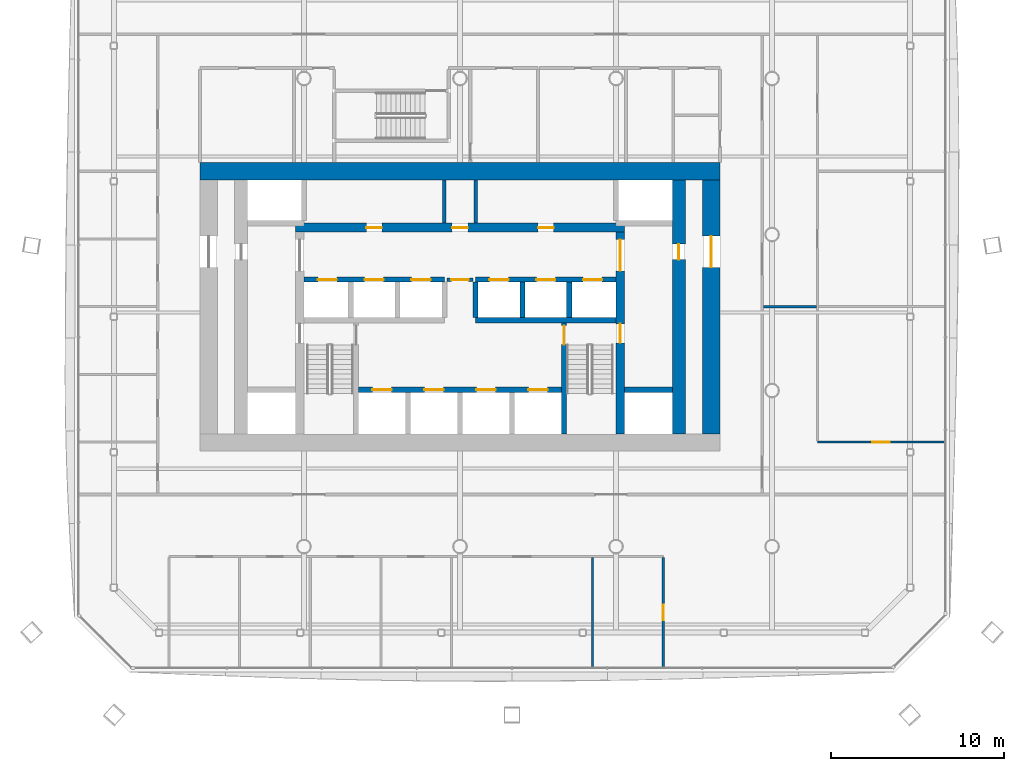
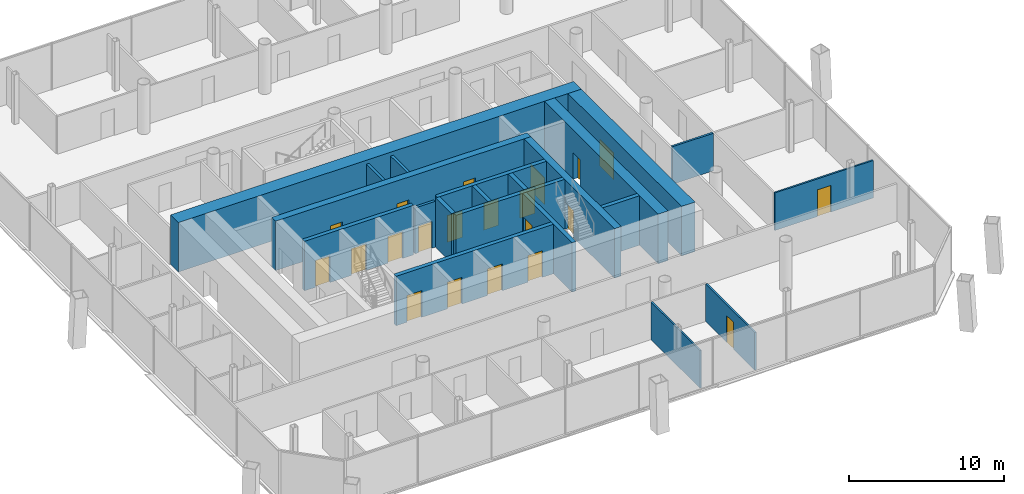
# One storey, part 12 of 19: 21 doors, 21 walls, 21 openings.
"""IFC4 building model written with IfcOpenShell, lengths in metres."""

from ifc_helpers import new_model, si_unit, direction, frame, frame_2d, origin, place, context, subcontext, project, spatial, rectangle, extrude, material, layer, layer_set, type_object, element, fill, save


model = new_model("IFC4")

# Units and contexts
model_context = context("Model", 3, precision=1e-05, world=origin(), true_north=direction((0.0, 1.0)))
body_context = subcontext(model_context, "Body", "Model", "MODEL_VIEW")
ifc_project = project(units=[si_unit("LENGTHUNIT", "METRE"), si_unit("AREAUNIT", "SQUARE_METRE"), si_unit("VOLUMEUNIT", "CUBIC_METRE"), si_unit("PLANEANGLEUNIT", "RADIAN"), si_unit("MASSUNIT", "GRAM", prefix="KILO")], contexts=[model_context])

# Site, building, storey
site_placement = place(None, origin())
site = spatial("IfcSite", under=ifc_project, at=site_placement, CompositionType="ELEMENT")
building_placement = place(site_placement, origin())
building = spatial("IfcBuilding", under=site, at=building_placement, Name="Tskaro Facet Tower", CompositionType="ELEMENT")
storey_placement = place(building_placement, frame((0.0, 0.0, 81.60009765625)))
storey = spatial("IfcBuildingStorey", under=building, at=storey_placement, Name="L19", CompositionType="ELEMENT", Elevation=81.60009765625)

# Wall, openings, doors
ifc_material_1 = material(Name="Concrete C60/75", Category="concrete")
ifc_layer_1 = layer(ifc_material_1, 0.300048828125, Name="Concrete C60/75")
ifc_layer_set_1 = layer_set([ifc_layer_1], Name="Concrete C60/75")
wall_type_1 = type_object("IfcWallType", Name="CORE-SHAFT", PredefinedType="SHEAR", material=ifc_layer_set_1)
wall_1_placement = place(storey_placement, frame((-5.85009765625, -8.949951171875, 0.0), z_axis=(0.0, 0.0, 1.0), x_axis=(1.0, 0.0, 0.0)))
wall_1 = element("IfcWall", 1, at=wall_1_placement, inside=storey, type_object=wall_type_1, Name="Shaft wall W006", PredefinedType="SHEAR", context=body_context, shape_type="SweptSolid", body=[
    extrude(rectangle(XDim=11.7001953125, YDim=0.300048828125, at=frame_2d((5.85009765625, 0.0))), origin(), (0.0, 0.0, 1.0), 3.89990234375),
])
opening_1_placement = place(wall_1_placement, frame((0.800048828125, 0.0, 0.0)))
opening_1 = element("IfcOpeningElement", 2, at=opening_1_placement, cuts=wall_1, Name="Opening LD-FF1", PredefinedType="OPENING", context=body_context, shape_type="SweptSolid", body=[
    extrude(rectangle(XDim=1.10009765625, YDim=2.10009765625, at=frame_2d((0.550048828125, 1.050048828125))), frame((0.0, 0.159912109375, 0.0), z_axis=(0.0, -1.0, 0.0), x_axis=(1.0, 0.0, 0.0)), (0.0, 0.0, 1.0), 0.320068359375),
])
opening_2_placement = place(wall_1_placement, frame((3.800048828125, 0.0, 0.0)))
opening_2 = element("IfcOpeningElement", 3, at=opening_2_placement, cuts=wall_1, Name="Opening LD-FF2", PredefinedType="OPENING", context=body_context, shape_type="SweptSolid", body=[
    extrude(rectangle(XDim=1.10009765625, YDim=2.10009765625, at=frame_2d((0.550048828125, 1.050048828125))), frame((0.0, 0.159912109375, 0.0), z_axis=(0.0, -1.0, 0.0), x_axis=(1.0, 0.0, 0.0)), (0.0, 0.0, 1.0), 0.320068359375),
])
opening_3_placement = place(wall_1_placement, frame((6.800048828125, 0.0, 0.0)))
opening_3 = element("IfcOpeningElement", 4, at=opening_3_placement, cuts=wall_1, Name="Opening LD-SV1", PredefinedType="OPENING", context=body_context, shape_type="SweptSolid", body=[
    extrude(rectangle(XDim=1.10009765625, YDim=2.10009765625, at=frame_2d((0.550048828125, 1.050048828125))), frame((0.0, 0.159912109375, 0.0), z_axis=(0.0, -1.0, 0.0), x_axis=(1.0, 0.0, 0.0)), (0.0, 0.0, 1.0), 0.320068359375),
])
opening_4_placement = place(wall_1_placement, frame((9.800048828125, 0.0, 0.0)))
opening_4 = element("IfcOpeningElement", 5, at=opening_4_placement, cuts=wall_1, Name="Opening LD-SV2", PredefinedType="OPENING", context=body_context, shape_type="SweptSolid", body=[
    extrude(rectangle(XDim=1.10009765625, YDim=2.10009765625, at=frame_2d((0.550048828125, 1.050048828125))), frame((0.0, 0.159912109375, 0.0), z_axis=(0.0, -1.0, 0.0), x_axis=(1.0, 0.0, 0.0)), (0.0, 0.0, 1.0), 0.320068359375),
])
ifc_material_2 = material(Name="Stainless steel", Category="steel")
door_type_1 = type_object("IfcDoorType", Name="D-LANDING", OperationType="NOTDEFINED", PredefinedType="DOOR", material=ifc_material_2)
door_1_placement = place(opening_1_placement, origin())
door_1 = element("IfcDoor", 6, at=door_1_placement, inside=storey, type_object=door_type_1, Name="Landing door FF1", OperationType="DOUBLE_DOOR_SLIDING", OverallHeight=2.10009765625, OverallWidth=1.10009765625, PredefinedType="DOOR", context=body_context, shape_type="SweptSolid", body=[
    extrude(rectangle(XDim=1.10009765625, YDim=2.10009765625, at=frame_2d((0.550048828125, 1.050048828125))), frame((0.0, 0.02490234375, 0.0), z_axis=(0.0, -1.0, 0.0), x_axis=(1.0, 0.0, 0.0)), (0.0, 0.0, 1.0), 0.050048828125),
])
fill(opening_1, door_1)
door_2_placement = place(opening_2_placement, origin())
door_2 = element("IfcDoor", 7, at=door_2_placement, inside=storey, type_object=door_type_1, Name="Landing door FF2", OperationType="DOUBLE_DOOR_SLIDING", OverallHeight=2.10009765625, OverallWidth=1.10009765625, PredefinedType="DOOR", context=body_context, shape_type="SweptSolid", body=[
    extrude(rectangle(XDim=1.10009765625, YDim=2.10009765625, at=frame_2d((0.550048828125, 1.050048828125))), frame((0.0, 0.02490234375, 0.0), z_axis=(0.0, -1.0, 0.0), x_axis=(1.0, 0.0, 0.0)), (0.0, 0.0, 1.0), 0.050048828125),
])
fill(opening_2, door_2)
door_3_placement = place(opening_3_placement, origin())
door_3 = element("IfcDoor", 8, at=door_3_placement, inside=storey, type_object=door_type_1, Name="Landing door SV1", OperationType="DOUBLE_DOOR_SLIDING", OverallHeight=2.10009765625, OverallWidth=1.10009765625, PredefinedType="DOOR", context=body_context, shape_type="SweptSolid", body=[
    extrude(rectangle(XDim=1.10009765625, YDim=2.10009765625, at=frame_2d((0.550048828125, 1.050048828125))), frame((0.0, 0.02490234375, 0.0), z_axis=(0.0, -1.0, 0.0), x_axis=(1.0, 0.0, 0.0)), (0.0, 0.0, 1.0), 0.050048828125),
])
fill(opening_3, door_3)
door_4_placement = place(opening_4_placement, origin())
door_4 = element("IfcDoor", 9, at=door_4_placement, inside=storey, type_object=door_type_1, Name="Landing door SV2", OperationType="DOUBLE_DOOR_SLIDING", OverallHeight=2.10009765625, OverallWidth=1.10009765625, PredefinedType="DOOR", context=body_context, shape_type="SweptSolid", body=[
    extrude(rectangle(XDim=1.10009765625, YDim=2.10009765625, at=frame_2d((0.550048828125, 1.050048828125))), frame((0.0, 0.02490234375, 0.0), z_axis=(0.0, -1.0, 0.0), x_axis=(1.0, 0.0, 0.0)), (0.0, 0.0, 1.0), 0.050048828125),
])
fill(opening_4, door_4)

# Walls
wall_2_placement = place(storey_placement, frame((9.5, -8.949951171875, 0.0), z_axis=(0.0, 0.0, 1.0), x_axis=(1.0, 0.0, 0.0)))
element("IfcWall", 10, at=wall_2_placement, inside=storey, type_object=wall_type_1, Name="Shaft wall W007", PredefinedType="SHEAR", context=body_context, shape_type="SweptSolid", body=[
    extrude(rectangle(XDim=2.75, YDim=0.300048828125, at=frame_2d((1.375, 0.0))), origin(), (0.0, 0.0, 1.0), 3.89990234375),
])
wall_3_placement = place(storey_placement, frame((0.89990234375, -4.949951171875, 0.0), z_axis=(0.0, 0.0, 1.0), x_axis=(1.0, 0.0, 0.0)))
element("IfcWall", 11, at=wall_3_placement, inside=storey, type_object=wall_type_1, Name="Shaft wall W010", PredefinedType="SHEAR", context=body_context, shape_type="SweptSolid", body=[
    extrude(rectangle(XDim=8.10009765625, YDim=0.300048828125, at=frame_2d((4.050048828125, 0.0))), origin(), (0.0, 0.0, 1.0), 3.89990234375),
])

# Wall, openings, doors
wall_4_placement = place(storey_placement, frame((-9.0, -2.60009765625, 0.0), z_axis=(0.0, 0.0, 1.0), x_axis=(1.0, 0.0, 0.0)))
wall_4 = element("IfcWall", 12, at=wall_4_placement, inside=storey, type_object=wall_type_1, Name="Shaft wall W014", PredefinedType="SHEAR", context=body_context, shape_type="SweptSolid", body=[
    extrude(rectangle(XDim=8.10009765625, YDim=0.300048828125, at=frame_2d((4.050048828125, 0.0))), origin(), (0.0, 0.0, 1.0), 3.89990234375),
])
opening_5_placement = place(wall_4_placement, frame((0.800048828125, 0.0, 0.0)))
opening_5 = element("IfcOpeningElement", 13, at=opening_5_placement, cuts=wall_4, Name="Opening LD-LR1", PredefinedType="OPENING", context=body_context, shape_type="SweptSolid", body=[
    extrude(rectangle(XDim=1.10009765625, YDim=2.10009765625, at=frame_2d((0.550048828125, 1.050048828125))), frame((0.0, 0.159912109375, 0.0), z_axis=(0.0, -1.0, 0.0), x_axis=(1.0, 0.0, 0.0)), (0.0, 0.0, 1.0), 0.320068359375),
])
opening_6_placement = place(wall_4_placement, frame((3.5, 0.0, 0.0)))
opening_6 = element("IfcOpeningElement", 14, at=opening_6_placement, cuts=wall_4, Name="Opening LD-LR2", PredefinedType="OPENING", context=body_context, shape_type="SweptSolid", body=[
    extrude(rectangle(XDim=1.10009765625, YDim=2.10009765625, at=frame_2d((0.550048828125, 1.050048828125))), frame((0.0, 0.159912109375, 0.0), z_axis=(0.0, -1.0, 0.0), x_axis=(1.0, 0.0, 0.0)), (0.0, 0.0, 1.0), 0.320068359375),
])
opening_7_placement = place(wall_4_placement, frame((6.199951171875, 0.0, 0.0)))
opening_7 = element("IfcOpeningElement", 15, at=opening_7_placement, cuts=wall_4, Name="Opening LD-LR3", PredefinedType="OPENING", context=body_context, shape_type="SweptSolid", body=[
    extrude(rectangle(XDim=1.10009765625, YDim=2.10009765625, at=frame_2d((0.550048828125, 1.050048828125))), frame((0.0, 0.159912109375, 0.0), z_axis=(0.0, -1.0, 0.0), x_axis=(1.0, 0.0, 0.0)), (0.0, 0.0, 1.0), 0.320068359375),
])
door_5_placement = place(opening_5_placement, origin())
door_5 = element("IfcDoor", 16, at=door_5_placement, inside=storey, type_object=door_type_1, Name="Landing door LR1", OperationType="DOUBLE_DOOR_SLIDING", OverallHeight=2.10009765625, OverallWidth=1.10009765625, PredefinedType="DOOR", context=body_context, shape_type="SweptSolid", body=[
    extrude(rectangle(XDim=1.10009765625, YDim=2.10009765625, at=frame_2d((0.550048828125, 1.050048828125))), frame((0.0, 0.02490234375, 0.0), z_axis=(0.0, -1.0, 0.0), x_axis=(1.0, 0.0, 0.0)), (0.0, 0.0, 1.0), 0.050048828125),
])
fill(opening_5, door_5)
door_6_placement = place(opening_6_placement, origin())
door_6 = element("IfcDoor", 17, at=door_6_placement, inside=storey, type_object=door_type_1, Name="Landing door LR2", OperationType="DOUBLE_DOOR_SLIDING", OverallHeight=2.10009765625, OverallWidth=1.10009765625, PredefinedType="DOOR", context=body_context, shape_type="SweptSolid", body=[
    extrude(rectangle(XDim=1.10009765625, YDim=2.10009765625, at=frame_2d((0.550048828125, 1.050048828125))), frame((0.0, 0.02490234375, 0.0), z_axis=(0.0, -1.0, 0.0), x_axis=(1.0, 0.0, 0.0)), (0.0, 0.0, 1.0), 0.050048828125),
])
fill(opening_6, door_6)
door_7_placement = place(opening_7_placement, origin())
door_7 = element("IfcDoor", 18, at=door_7_placement, inside=storey, type_object=door_type_1, Name="Landing door LR3", OperationType="DOUBLE_DOOR_SLIDING", OverallHeight=2.10009765625, OverallWidth=1.10009765625, PredefinedType="DOOR", context=body_context, shape_type="SweptSolid", body=[
    extrude(rectangle(XDim=1.10009765625, YDim=2.10009765625, at=frame_2d((0.550048828125, 1.050048828125))), frame((0.0, 0.02490234375, 0.0), z_axis=(0.0, -1.0, 0.0), x_axis=(1.0, 0.0, 0.0)), (0.0, 0.0, 1.0), 0.050048828125),
])
fill(opening_7, door_7)

wall_5_placement = place(storey_placement, frame((0.89990234375, -2.60009765625, 0.0), z_axis=(0.0, 0.0, 1.0), x_axis=(1.0, 0.0, 0.0)))
wall_5 = element("IfcWall", 19, at=wall_5_placement, inside=storey, type_object=wall_type_1, Name="Shaft wall W016", PredefinedType="SHEAR", context=body_context, shape_type="SweptSolid", body=[
    extrude(rectangle(XDim=8.10009765625, YDim=0.300048828125, at=frame_2d((4.050048828125, 0.0))), origin(), (0.0, 0.0, 1.0), 3.89990234375),
])
opening_8_placement = place(wall_5_placement, frame((0.800048828125, 0.0, 0.0)))
opening_8 = element("IfcOpeningElement", 20, at=opening_8_placement, cuts=wall_5, Name="Opening LD-LR4", PredefinedType="OPENING", context=body_context, shape_type="SweptSolid", body=[
    extrude(rectangle(XDim=1.10009765625, YDim=2.10009765625, at=frame_2d((0.550048828125, 1.050048828125))), frame((0.0, 0.159912109375, 0.0), z_axis=(0.0, -1.0, 0.0), x_axis=(1.0, 0.0, 0.0)), (0.0, 0.0, 1.0), 0.320068359375),
])
opening_9_placement = place(wall_5_placement, frame((3.5, 0.0, 0.0)))
opening_9 = element("IfcOpeningElement", 21, at=opening_9_placement, cuts=wall_5, Name="Opening LD-LR5", PredefinedType="OPENING", context=body_context, shape_type="SweptSolid", body=[
    extrude(rectangle(XDim=1.10009765625, YDim=2.10009765625, at=frame_2d((0.550048828125, 1.050048828125))), frame((0.0, 0.159912109375, 0.0), z_axis=(0.0, -1.0, 0.0), x_axis=(1.0, 0.0, 0.0)), (0.0, 0.0, 1.0), 0.320068359375),
])
opening_10_placement = place(wall_5_placement, frame((6.199951171875, 0.0, 0.0)))
opening_10 = element("IfcOpeningElement", 22, at=opening_10_placement, cuts=wall_5, Name="Opening LD-LR6", PredefinedType="OPENING", context=body_context, shape_type="SweptSolid", body=[
    extrude(rectangle(XDim=1.10009765625, YDim=2.10009765625, at=frame_2d((0.550048828125, 1.050048828125))), frame((0.0, 0.159912109375, 0.0), z_axis=(0.0, -1.0, 0.0), x_axis=(1.0, 0.0, 0.0)), (0.0, 0.0, 1.0), 0.320068359375),
])
door_8_placement = place(opening_8_placement, origin())
door_8 = element("IfcDoor", 23, at=door_8_placement, inside=storey, type_object=door_type_1, Name="Landing door LR4", OperationType="DOUBLE_DOOR_SLIDING", OverallHeight=2.10009765625, OverallWidth=1.10009765625, PredefinedType="DOOR", context=body_context, shape_type="SweptSolid", body=[
    extrude(rectangle(XDim=1.10009765625, YDim=2.10009765625, at=frame_2d((0.550048828125, 1.050048828125))), frame((0.0, 0.02490234375, 0.0), z_axis=(0.0, -1.0, 0.0), x_axis=(1.0, 0.0, 0.0)), (0.0, 0.0, 1.0), 0.050048828125),
])
fill(opening_8, door_8)
door_9_placement = place(opening_9_placement, origin())
door_9 = element("IfcDoor", 24, at=door_9_placement, inside=storey, type_object=door_type_1, Name="Landing door LR5", OperationType="DOUBLE_DOOR_SLIDING", OverallHeight=2.10009765625, OverallWidth=1.10009765625, PredefinedType="DOOR", context=body_context, shape_type="SweptSolid", body=[
    extrude(rectangle(XDim=1.10009765625, YDim=2.10009765625, at=frame_2d((0.550048828125, 1.050048828125))), frame((0.0, 0.02490234375, 0.0), z_axis=(0.0, -1.0, 0.0), x_axis=(1.0, 0.0, 0.0)), (0.0, 0.0, 1.0), 0.050048828125),
])
fill(opening_9, door_9)
door_10_placement = place(opening_10_placement, origin())
door_10 = element("IfcDoor", 25, at=door_10_placement, inside=storey, type_object=door_type_1, Name="Landing door LR6", OperationType="DOUBLE_DOOR_SLIDING", OverallHeight=2.10009765625, OverallWidth=1.10009765625, PredefinedType="DOOR", context=body_context, shape_type="SweptSolid", body=[
    extrude(rectangle(XDim=1.10009765625, YDim=2.10009765625, at=frame_2d((0.550048828125, 1.050048828125))), frame((0.0, 0.02490234375, 0.0), z_axis=(0.0, -1.0, 0.0), x_axis=(1.0, 0.0, 0.0)), (0.0, 0.0, 1.0), 0.050048828125),
])
fill(opening_10, door_10)

# Walls
for number, where, z_axis, x_axis, name in (
    (26, (0.89990234375, -4.800048828125, 0.0), (0.0, 0.0, 1.0), (0.0, 1.0, 0.0), "Shaft wall W055"),
    (27, (3.60009765625, -4.800048828125, 0.0), (0.0, 0.0, 1.0), (0.0, 1.0, 0.0), "Shaft wall W059"),
):
    element("IfcWall", number, at=place(storey_placement, frame(where, z_axis=z_axis, x_axis=x_axis)), inside=storey, type_object=wall_type_1, Name=name, PredefinedType="SHEAR", context=body_context, shape_type="SweptSolid", body=[
        extrude(rectangle(XDim=2.050048828125, YDim=0.300048828125, at=frame_2d((1.02490234375, 0.0))), origin(), (0.0, 0.0, 1.0), 3.89990234375),
    ])

# Wall, opening, door
wall_6_placement = place(storey_placement, frame((6.0, -5.10009765625, 0.0), z_axis=(0.0, 0.0, 1.0), x_axis=(0.0, -1.0, 0.0)))
wall_6 = element("IfcWall", 28, at=wall_6_placement, inside=storey, type_object=wall_type_1, Name="Shaft wall W061", PredefinedType="SHEAR", context=body_context, shape_type="SweptSolid", body=[
    extrude(rectangle(XDim=6.39990234375, YDim=0.300048828125, at=frame_2d((3.199951171875, 0.0))), origin(), (0.0, 0.0, 1.0), 3.89990234375),
])
opening_11_placement = place(wall_6_placement, frame((0.14990234375, 0.0, 0.0)))
opening_11 = element("IfcOpeningElement", 29, at=opening_11_placement, cuts=wall_6, Name="Opening ST-2-D1", PredefinedType="OPENING", context=body_context, shape_type="SweptSolid", body=[
    extrude(rectangle(XDim=1.10009765625, YDim=2.10009765625, at=frame_2d((0.550048828125, 1.050048828125))), frame((0.0, 0.159912109375, 0.0), z_axis=(0.0, -1.0, 0.0), x_axis=(1.0, 0.0, 0.0)), (0.0, 0.0, 1.0), 0.320068359375),
])
ifc_material_3 = material(Name="Steel", Category="steel")
door_type_2 = type_object("IfcDoorType", Name="D-STAIR", OperationType="NOTDEFINED", PredefinedType="DOOR", material=ifc_material_3)
door_11_placement = place(opening_11_placement, origin())
door_11 = element("IfcDoor", 30, at=door_11_placement, inside=storey, type_object=door_type_2, Name="Stair door 2", OperationType="SINGLE_SWING_RIGHT", OverallHeight=2.10009765625, OverallWidth=1.10009765625, PredefinedType="DOOR", context=body_context, shape_type="SweptSolid", body=[
    extrude(rectangle(XDim=1.10009765625, YDim=2.10009765625, at=frame_2d((0.550048828125, 1.050048828125))), frame((0.0, 0.02490234375, 0.0), z_axis=(0.0, -1.0, 0.0), x_axis=(1.0, 0.0, 0.0)), (0.0, 0.0, 1.0), 0.050048828125),
])
fill(opening_11, door_11)

# Wall
wall_7_placement = place(storey_placement, frame((6.300048828125, -4.800048828125, 0.0), z_axis=(0.0, 0.0, 1.0), x_axis=(0.0, 1.0, 0.0)))
element("IfcWall", 31, at=wall_7_placement, inside=storey, type_object=wall_type_1, Name="Shaft wall W062", PredefinedType="SHEAR", context=body_context, shape_type="SweptSolid", body=[
    extrude(rectangle(XDim=2.050048828125, YDim=0.300048828125, at=frame_2d((1.02490234375, 0.0))), origin(), (0.0, 0.0, 1.0), 3.89990234375),
])

# Wall, opening, door
ifc_material_4 = material(Name="Concrete C20/25", Category="concrete")
ifc_layer_2 = layer(ifc_material_4, 0.199951171875, Name="Concrete C20/25")
ifc_layer_set_2 = layer_set([ifc_layer_2], Name="Concrete C20/25")
wall_type_2 = type_object("IfcWallType", Name="CORE-WALL", PredefinedType="SOLIDWALL", material=ifc_layer_set_2)
wall_8_placement = place(storey_placement, frame((0.75, -2.60009765625, 0.0), z_axis=(0.0, 0.0, 1.0), x_axis=(-1.0, 0.0, 0.0)))
wall_8 = element("IfcWall", 32, at=wall_8_placement, inside=storey, type_object=wall_type_2, Name="Core room wall W015", PredefinedType="SOLIDWALL", context=body_context, shape_type="SweptSolid", body=[
    extrude(rectangle(XDim=1.5, YDim=0.199951171875, at=frame_2d((0.75, 0.0))), origin(), (0.0, 0.0, 1.0), 3.599853515625),
])
opening_12_placement = place(wall_8_placement, frame((0.25, 0.0, 0.0)))
opening_12 = element("IfcOpeningElement", 33, at=opening_12_placement, cuts=wall_8, Name="Opening FL-D1", PredefinedType="OPENING", context=body_context, shape_type="SweptSolid", body=[
    extrude(rectangle(XDim=1.0, YDim=2.10009765625, at=frame_2d((0.5, 1.050048828125))), frame((0.0, 0.10986328125, 0.0), z_axis=(0.0, -1.0, 0.0), x_axis=(1.0, 0.0, 0.0)), (0.0, 0.0, 1.0), 0.219970703125),
])
door_type_3 = type_object("IfcDoorType", Name="D-LOBBY", OperationType="NOTDEFINED", PredefinedType="DOOR", material=ifc_material_3)
door_12_placement = place(opening_12_placement, origin())
door_12 = element("IfcDoor", 34, at=door_12_placement, inside=storey, type_object=door_type_3, Name="Lobby door FL", OperationType="SINGLE_SWING_RIGHT", OverallHeight=2.10009765625, OverallWidth=1.0, PredefinedType="DOOR", context=body_context, shape_type="SweptSolid", body=[
    extrude(rectangle(XDim=1.0, YDim=2.10009765625, at=frame_2d((0.5, 1.050048828125))), frame((0.0, 0.02490234375, 0.0), z_axis=(0.0, -1.0, 0.0), x_axis=(1.0, 0.0, 0.0)), (0.0, 0.0, 1.0), 0.050048828125),
])
fill(opening_12, door_12)

# Walls
for number, where, z_axis, x_axis, name in (
    (35, (-0.89990234375, 0.64990234375, 0.0), (0.0, 0.0, 1.0), (0.0, 1.0, 0.0), "Core room wall W048"),
    (36, (0.89990234375, 0.64990234375, 0.0), (0.0, 0.0, 1.0), (0.0, 1.0, 0.0), "Core room wall W056"),
):
    element("IfcWall", number, at=place(storey_placement, frame(where, z_axis=z_axis, x_axis=x_axis)), inside=storey, type_object=wall_type_2, Name=name, PredefinedType="SOLIDWALL", context=body_context, shape_type="SweptSolid", body=[
        extrude(rectangle(XDim=2.5, YDim=0.199951171875, at=frame_2d((1.25, 0.0))), origin(), (0.0, 0.0, 1.0), 3.599853515625),
    ])
ifc_layer_3 = layer(ifc_material_1, 1.0, Name="Concrete C60/75")
ifc_layer_set_3 = layer_set([ifc_layer_3], Name="Concrete C60/75")
wall_type_3 = type_object("IfcWallType", Name="Core wall 1000", PredefinedType="SHEAR", material=ifc_layer_set_3)
wall_9_placement = place(storey_placement, frame((-15.0, 3.64990234375, 0.0), z_axis=(0.0, 0.0, 1.0), x_axis=(1.0, 0.0, 0.0)))
element("IfcWall", 37, at=wall_9_placement, inside=storey, type_object=wall_type_3, Name="Core wall CW-Z1N", PredefinedType="SHEAR", context=body_context, shape_type="SweptSolid", body=[
    extrude(rectangle(XDim=30.0, YDim=1.0, at=frame_2d((15.0, 0.0))), origin(), (0.0, 0.0, 1.0), 3.89990234375),
])

# Wall, opening, door
wall_10_placement = place(storey_placement, frame((14.5, -11.5, 0.0), z_axis=(0.0, 0.0, 1.0), x_axis=(0.0, 1.0, 0.0)))
wall_10 = element("IfcWall", 38, at=wall_10_placement, inside=storey, type_object=wall_type_3, Name="Core wall CW-Z1E", PredefinedType="SHEAR", context=body_context, shape_type="SweptSolid", body=[
    extrude(rectangle(XDim=14.64990234375, YDim=1.0, at=frame_2d((7.324951171875, 0.0))), origin(), (0.0, 0.0, 1.0), 3.89990234375),
])
opening_13_placement = place(wall_10_placement, frame((9.60009765625, 0.0, 0.0)))
opening_13 = element("IfcOpeningElement", 39, at=opening_13_placement, cuts=wall_10, Name="Opening T5-D23", PredefinedType="OPENING", context=body_context, shape_type="SweptSolid", body=[
    extrude(rectangle(XDim=1.800048828125, YDim=2.10009765625, at=frame_2d((0.89990234375, 1.050048828125))), frame((0.0, 0.510009765625, 0.0), z_axis=(0.0, -1.0, 0.0), x_axis=(1.0, 0.0, 0.0)), (0.0, 0.0, 1.0), 1.02001953125),
])
door_type_4 = type_object("IfcDoorType", Name="D-CORE-PAIR", OperationType="NOTDEFINED", PredefinedType="DOOR", material=ifc_material_3)
door_13_placement = place(opening_13_placement, origin())
door_13 = element("IfcDoor", 40, at=door_13_placement, inside=storey, type_object=door_type_4, Name="Door T5-D23", OperationType="DOUBLE_DOOR_SINGLE_SWING", OverallHeight=2.10009765625, OverallWidth=1.800048828125, PredefinedType="DOOR", context=body_context, shape_type="SweptSolid", body=[
    extrude(rectangle(XDim=1.800048828125, YDim=2.10009765625, at=frame_2d((0.89990234375, 1.050048828125))), frame((0.0, 0.02490234375, 0.0), z_axis=(0.0, -1.0, 0.0), x_axis=(1.0, 0.0, 0.0)), (0.0, 0.0, 1.0), 0.050048828125),
])
fill(opening_13, door_13)

# Wall, openings, doors
ifc_material_5 = material(Name="Concrete C40/50", Category="concrete")
ifc_layer_4 = layer(ifc_material_5, 0.5, Name="Concrete C40/50")
ifc_layer_set_4 = layer_set([ifc_layer_4], Name="Concrete C40/50")
wall_type_4 = type_object("IfcWallType", Name="Core wall 500", PredefinedType="SHEAR", material=ifc_layer_set_4)
wall_11_placement = place(storey_placement, frame((-9.5, 0.39990234375, 0.0), z_axis=(0.0, 0.0, 1.0), x_axis=(1.0, 0.0, 0.0)))
wall_11 = element("IfcWall", 41, at=wall_11_placement, inside=storey, type_object=wall_type_4, Name="Core wall CW-Z3N", PredefinedType="SHEAR", context=body_context, shape_type="SweptSolid", body=[
    extrude(rectangle(XDim=19.0, YDim=0.5, at=frame_2d((9.5, 0.0))), origin(), (0.0, 0.0, 1.0), 3.89990234375),
])
opening_14_placement = place(wall_11_placement, frame((4.10009765625, 0.0, 0.0)))
opening_14 = element("IfcOpeningElement", 42, at=opening_14_placement, cuts=wall_11, Name="Opening T5-D25", PredefinedType="OPENING", context=body_context, shape_type="SweptSolid", body=[
    extrude(rectangle(XDim=0.89990234375, YDim=2.10009765625, at=frame_2d((0.449951171875, 1.050048828125))), frame((0.0, 0.260009765625, 0.0), z_axis=(0.0, -1.0, 0.0), x_axis=(1.0, 0.0, 0.0)), (0.0, 0.0, 1.0), 0.52001953125),
])
opening_15_placement = place(wall_11_placement, frame((14.0, 0.0, 0.0)))
opening_15 = element("IfcOpeningElement", 43, at=opening_15_placement, cuts=wall_11, Name="Opening T5-D27", PredefinedType="OPENING", context=body_context, shape_type="SweptSolid", body=[
    extrude(rectangle(XDim=0.89990234375, YDim=2.10009765625, at=frame_2d((0.449951171875, 1.050048828125))), frame((0.0, 0.260009765625, 0.0), z_axis=(0.0, -1.0, 0.0), x_axis=(1.0, 0.0, 0.0)), (0.0, 0.0, 1.0), 0.52001953125),
])
opening_16_placement = place(wall_11_placement, frame((9.050048828125, 0.0, 0.0)))
opening_16 = element("IfcOpeningElement", 44, at=opening_16_placement, cuts=wall_11, Name="Opening T5-D26", PredefinedType="OPENING", context=body_context, shape_type="SweptSolid", body=[
    extrude(rectangle(XDim=0.89990234375, YDim=2.10009765625, at=frame_2d((0.449951171875, 1.050048828125))), frame((0.0, 0.260009765625, 0.0), z_axis=(0.0, -1.0, 0.0), x_axis=(1.0, 0.0, 0.0)), (0.0, 0.0, 1.0), 0.52001953125),
])
door_type_5 = type_object("IfcDoorType", Name="D-RISER", OperationType="NOTDEFINED", PredefinedType="DOOR", material=ifc_material_3)
door_14_placement = place(opening_16_placement, origin())
door_14 = element("IfcDoor", 45, at=door_14_placement, inside=storey, type_object=door_type_5, Name="Door T5-D26", OperationType="SINGLE_SWING_LEFT", OverallHeight=2.10009765625, OverallWidth=0.89990234375, PredefinedType="DOOR", context=body_context, shape_type="SweptSolid", body=[
    extrude(rectangle(XDim=0.89990234375, YDim=2.10009765625, at=frame_2d((0.449951171875, 1.050048828125))), frame((0.0, 0.02490234375, 0.0), z_axis=(0.0, -1.0, 0.0), x_axis=(1.0, 0.0, 0.0)), (0.0, 0.0, 1.0), 0.050048828125),
])
fill(opening_16, door_14)
ifc_material_6 = material(Name="Timber", Category="wood")
door_type_6 = type_object("IfcDoorType", Name="D-ROOM", OperationType="NOTDEFINED", PredefinedType="DOOR", material=ifc_material_6)
door_15_placement = place(opening_14_placement, origin())
door_15 = element("IfcDoor", 46, at=door_15_placement, inside=storey, type_object=door_type_6, Name="Door T5-D25", OperationType="SINGLE_SWING_LEFT", OverallHeight=2.10009765625, OverallWidth=0.89990234375, PredefinedType="DOOR", context=body_context, shape_type="SweptSolid", body=[
    extrude(rectangle(XDim=0.89990234375, YDim=2.10009765625, at=frame_2d((0.449951171875, 1.050048828125))), frame((0.0, 0.02490234375, 0.0), z_axis=(0.0, -1.0, 0.0), x_axis=(1.0, 0.0, 0.0)), (0.0, 0.0, 1.0), 0.050048828125),
])
fill(opening_14, door_15)
door_16_placement = place(opening_15_placement, origin())
door_16 = element("IfcDoor", 47, at=door_16_placement, inside=storey, type_object=door_type_6, Name="Door T5-D27", OperationType="SINGLE_SWING_LEFT", OverallHeight=2.10009765625, OverallWidth=0.89990234375, PredefinedType="DOOR", context=body_context, shape_type="SweptSolid", body=[
    extrude(rectangle(XDim=0.89990234375, YDim=2.10009765625, at=frame_2d((0.449951171875, 1.050048828125))), frame((0.0, 0.02490234375, 0.0), z_axis=(0.0, -1.0, 0.0), x_axis=(1.0, 0.0, 0.0)), (0.0, 0.0, 1.0), 0.050048828125),
])
fill(opening_15, door_16)

wall_12_placement = place(storey_placement, frame((9.25, -11.5, 0.0), z_axis=(0.0, 0.0, 1.0), x_axis=(0.0, 1.0, 0.0)))
wall_12 = element("IfcWall", 48, at=wall_12_placement, inside=storey, type_object=wall_type_4, Name="Core wall CW-Z3E", PredefinedType="SHEAR", context=body_context, shape_type="SweptSolid", body=[
    extrude(rectangle(XDim=11.64990234375, YDim=0.5, at=frame_2d((5.824951171875, 0.0))), origin(), (0.0, 0.0, 1.0), 3.89990234375),
])
opening_17_placement = place(wall_12_placement, frame((9.39990234375, 0.0, 0.0)))
opening_17 = element("IfcOpeningElement", 49, at=opening_17_placement, cuts=wall_12, Name="Opening T5-D19", PredefinedType="OPENING", context=body_context, shape_type="SweptSolid", body=[
    extrude(rectangle(XDim=1.800048828125, YDim=2.10009765625, at=frame_2d((0.89990234375, 1.050048828125))), frame((0.0, 0.260009765625, 0.0), z_axis=(0.0, -1.0, 0.0), x_axis=(1.0, 0.0, 0.0)), (0.0, 0.0, 1.0), 0.52001953125),
])
opening_18_placement = place(wall_12_placement, frame((5.25, 0.0, 0.0)))
opening_18 = element("IfcOpeningElement", 50, at=opening_18_placement, cuts=wall_12, Name="Opening ST-2-D2", PredefinedType="OPENING", context=body_context, shape_type="SweptSolid", body=[
    extrude(rectangle(XDim=1.10009765625, YDim=2.10009765625, at=frame_2d((0.550048828125, 1.050048828125))), frame((0.0, 0.260009765625, 0.0), z_axis=(0.0, -1.0, 0.0), x_axis=(1.0, 0.0, 0.0)), (0.0, 0.0, 1.0), 0.52001953125),
])
door_17_placement = place(opening_17_placement, origin())
door_17 = element("IfcDoor", 51, at=door_17_placement, inside=storey, type_object=door_type_4, Name="Door T5-D19", OperationType="DOUBLE_DOOR_SINGLE_SWING", OverallHeight=2.10009765625, OverallWidth=1.800048828125, PredefinedType="DOOR", context=body_context, shape_type="SweptSolid", body=[
    extrude(rectangle(XDim=1.800048828125, YDim=2.10009765625, at=frame_2d((0.89990234375, 1.050048828125))), frame((0.0, 0.02490234375, 0.0), z_axis=(0.0, -1.0, 0.0), x_axis=(1.0, 0.0, 0.0)), (0.0, 0.0, 1.0), 0.050048828125),
])
fill(opening_17, door_17)
door_18_placement = place(opening_18_placement, origin())
door_18 = element("IfcDoor", 52, at=door_18_placement, inside=storey, type_object=door_type_2, Name="Stair door 2 east", OperationType="SINGLE_SWING_LEFT", OverallHeight=2.10009765625, OverallWidth=1.10009765625, PredefinedType="DOOR", context=body_context, shape_type="SweptSolid", body=[
    extrude(rectangle(XDim=1.10009765625, YDim=2.10009765625, at=frame_2d((0.550048828125, 1.050048828125))), frame((0.0, 0.02490234375, 0.0), z_axis=(0.0, -1.0, 0.0), x_axis=(1.0, 0.0, 0.0)), (0.0, 0.0, 1.0), 0.050048828125),
])
fill(opening_18, door_18)

# Wall, opening, door
ifc_material_7 = material(Name="Concrete C50/60", Category="concrete")
ifc_layer_5 = layer(ifc_material_7, 0.75, Name="Concrete C50/60")
ifc_layer_set_5 = layer_set([ifc_layer_5], Name="Concrete C50/60")
wall_type_5 = type_object("IfcWallType", Name="Core wall 750", PredefinedType="SHEAR", material=ifc_layer_set_5)
wall_13_placement = place(storey_placement, frame((12.625, -11.5, 0.0), z_axis=(0.0, 0.0, 1.0), x_axis=(0.0, 1.0, 0.0)))
wall_13 = element("IfcWall", 53, at=wall_13_placement, inside=storey, type_object=wall_type_5, Name="Core wall CW-Z2E", PredefinedType="SHEAR", context=body_context, shape_type="SweptSolid", body=[
    extrude(rectangle(XDim=14.64990234375, YDim=0.75, at=frame_2d((7.324951171875, 0.0))), origin(), (0.0, 0.0, 1.0), 3.89990234375),
])
opening_19_placement = place(wall_13_placement, frame((10.050048828125, 0.0, 0.0)))
opening_19 = element("IfcOpeningElement", 54, at=opening_19_placement, cuts=wall_13, Name="Opening T5-D22", PredefinedType="OPENING", context=body_context, shape_type="SweptSolid", body=[
    extrude(rectangle(XDim=0.89990234375, YDim=2.10009765625, at=frame_2d((0.449951171875, 1.050048828125))), frame((0.0, 0.385009765625, 0.0), z_axis=(0.0, -1.0, 0.0), x_axis=(1.0, 0.0, 0.0)), (0.0, 0.0, 1.0), 0.77001953125),
])
door_19_placement = place(opening_19_placement, origin())
door_19 = element("IfcDoor", 55, at=door_19_placement, inside=storey, type_object=door_type_6, Name="Door T5-D22", OperationType="SINGLE_SWING_LEFT", OverallHeight=2.10009765625, OverallWidth=0.89990234375, PredefinedType="DOOR", context=body_context, shape_type="SweptSolid", body=[
    extrude(rectangle(XDim=0.89990234375, YDim=2.10009765625, at=frame_2d((0.449951171875, 1.050048828125))), frame((0.0, 0.02490234375, 0.0), z_axis=(0.0, -1.0, 0.0), x_axis=(1.0, 0.0, 0.0)), (0.0, 0.0, 1.0), 0.050048828125),
])
fill(opening_19, door_19)

ifc_material_8 = material(Name="Gypsum board on steel studs", Category="steel")
ifc_layer_6 = layer(ifc_material_8, 0.125, Name="Gypsum board on steel studs")
ifc_layer_set_6 = layer_set([ifc_layer_6], Name="Gypsum board on steel studs")
wall_type_6 = type_object("IfcWallType", Name="PART", PredefinedType="PARTITIONING", material=ifc_layer_set_6)
wall_14_placement = place(storey_placement, frame((20.625, -11.972900390625, 0.0), z_axis=(0.0, 0.0, 1.0), x_axis=(1.0, 0.0, 0.0)))
wall_14 = element("IfcWall", 56, at=wall_14_placement, inside=storey, type_object=wall_type_6, Name="Partition W004", PredefinedType="PARTITIONING", context=body_context, shape_type="SweptSolid", body=[
    extrude(rectangle(XDim=7.3359375, YDim=0.125, at=frame_2d((3.66796875, 0.0))), origin(), (0.0, 0.0, 1.0), 2.9599609375),
])
opening_20_placement = place(wall_14_placement, frame((3.16796875, 0.0, 0.0)))
opening_20 = element("IfcOpeningElement", 57, at=opening_20_placement, cuts=wall_14, Name="Opening T5-D11", PredefinedType="OPENING", context=body_context, shape_type="SweptSolid", body=[
    extrude(rectangle(XDim=1.0, YDim=2.10009765625, at=frame_2d((0.5, 1.050048828125))), frame((0.0, 0.072509765625, 0.0), z_axis=(0.0, -1.0, 0.0), x_axis=(1.0, 0.0, 0.0)), (0.0, 0.0, 1.0), 0.14501953125),
])
door_type_7 = type_object("IfcDoorType", Name="D-ROOM-WIDE", OperationType="NOTDEFINED", PredefinedType="DOOR", material=ifc_material_6)
door_20_placement = place(opening_20_placement, origin())
door_20 = element("IfcDoor", 58, at=door_20_placement, inside=storey, type_object=door_type_7, Name="Door T5-D11", OperationType="SINGLE_SWING_LEFT", OverallHeight=2.10009765625, OverallWidth=1.0, PredefinedType="DOOR", context=body_context, shape_type="SweptSolid", body=[
    extrude(rectangle(XDim=1.0, YDim=2.10009765625, at=frame_2d((0.5, 1.050048828125))), frame((0.0, 0.02490234375, 0.0), z_axis=(0.0, -1.0, 0.0), x_axis=(1.0, 0.0, 0.0)), (0.0, 0.0, 1.0), 0.050048828125),
])
fill(opening_20, door_20)

# Wall
wall_15_placement = place(storey_placement, frame((7.653076171875, -24.9609375, 0.0), z_axis=(0.0, 0.0, 1.0), x_axis=(0.0, 1.0, 0.0)))
element("IfcWall", 59, at=wall_15_placement, inside=storey, type_object=wall_type_6, Name="Partition W064", PredefinedType="PARTITIONING", context=body_context, shape_type="SweptSolid", body=[
    extrude(rectangle(XDim=6.318359375, YDim=0.125, at=frame_2d((3.1591796875, 0.0))), origin(), (0.0, 0.0, 1.0), 2.9599609375),
])

# Wall, opening, door
wall_16_placement = place(storey_placement, frame((11.72607421875, -24.9609375, 0.0), z_axis=(0.0, 0.0, 1.0), x_axis=(0.0, 1.0, 0.0)))
wall_16 = element("IfcWall", 60, at=wall_16_placement, inside=storey, type_object=wall_type_6, Name="Partition W067", PredefinedType="PARTITIONING", context=body_context, shape_type="SweptSolid", body=[
    extrude(rectangle(XDim=6.318359375, YDim=0.125, at=frame_2d((3.1591796875, 0.0))), origin(), (0.0, 0.0, 1.0), 2.9599609375),
])
opening_21_placement = place(wall_16_placement, frame((2.709228515625, 0.0, 0.0)))
opening_21 = element("IfcOpeningElement", 61, at=opening_21_placement, cuts=wall_16, Name="Opening T5-D01", PredefinedType="OPENING", context=body_context, shape_type="SweptSolid", body=[
    extrude(rectangle(XDim=0.89990234375, YDim=2.10009765625, at=frame_2d((0.449951171875, 1.050048828125))), frame((0.0, 0.072509765625, 0.0), z_axis=(0.0, -1.0, 0.0), x_axis=(1.0, 0.0, 0.0)), (0.0, 0.0, 1.0), 0.14501953125),
])
door_21_placement = place(opening_21_placement, origin())
door_21 = element("IfcDoor", 62, at=door_21_placement, inside=storey, type_object=door_type_6, Name="Door T5-D01", OperationType="SINGLE_SWING_LEFT", OverallHeight=2.10009765625, OverallWidth=0.89990234375, PredefinedType="DOOR", context=body_context, shape_type="SweptSolid", body=[
    extrude(rectangle(XDim=0.89990234375, YDim=2.10009765625, at=frame_2d((0.449951171875, 1.050048828125))), frame((0.0, 0.02490234375, 0.0), z_axis=(0.0, -1.0, 0.0), x_axis=(1.0, 0.0, 0.0)), (0.0, 0.0, 1.0), 0.050048828125),
])
fill(opening_21, door_21)

# Wall
ifc_layer_7 = layer(ifc_material_8, 0.14990234375, Name="Gypsum board on steel studs")
ifc_layer_set_7 = layer_set([ifc_layer_7], Name="Gypsum board on steel studs")
wall_type_7 = type_object("IfcWallType", Name="PART-CORR", PredefinedType="PARTITIONING", material=ifc_layer_set_7)
wall_17_placement = place(storey_placement, frame((17.5, -4.162109375, 0.0), z_axis=(0.0, 0.0, 1.0), x_axis=(1.0, 0.0, 0.0)))
element("IfcWall", 63, at=wall_17_placement, inside=storey, type_object=wall_type_7, Name="Corridor wall W012", PredefinedType="PARTITIONING", context=body_context, shape_type="SweptSolid", body=[
    extrude(rectangle(XDim=3.0625, YDim=0.14990234375, at=frame_2d((1.53125, 0.0))), origin(), (0.0, 0.0, 1.0), 2.9599609375),
])

save(model, "model.ifc")
